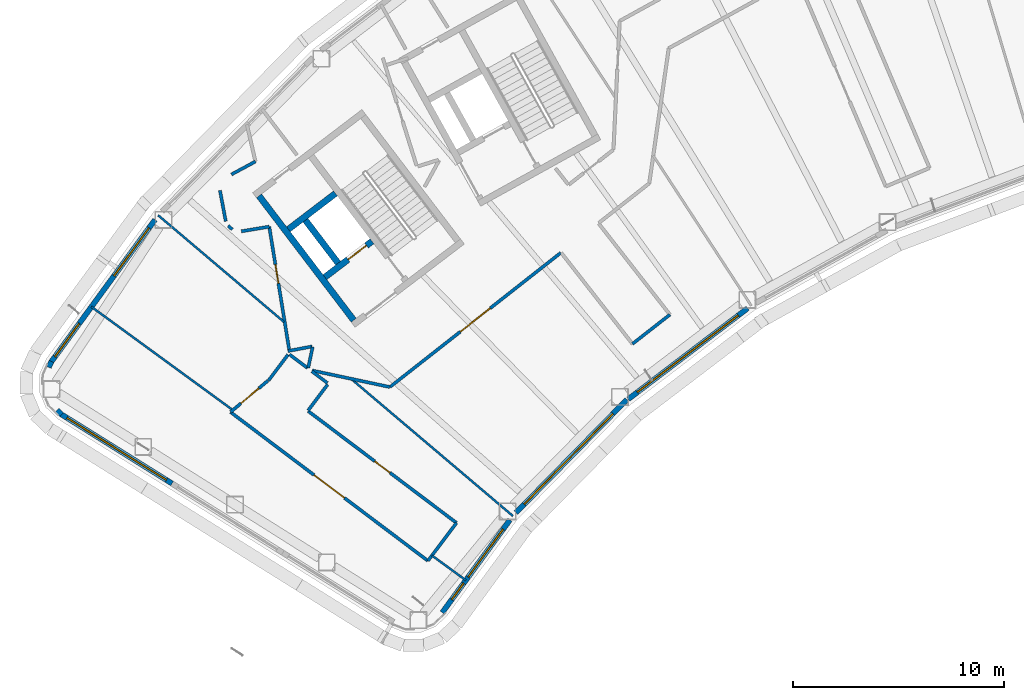
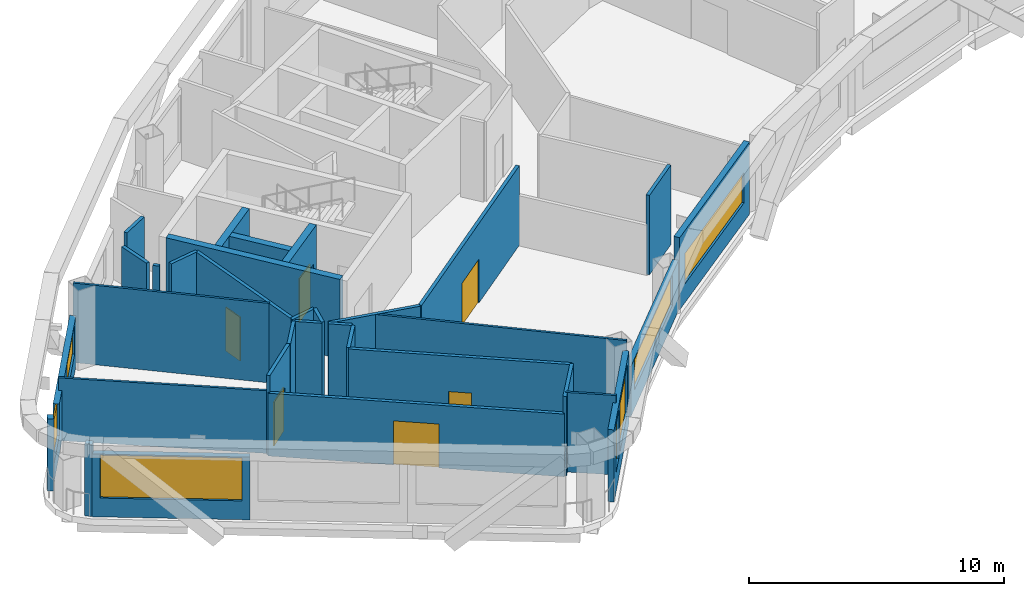
# One storey, part 5 of 21: 33 walls, 7 windows, 6 doors, 13 openings.
"""IFC4 building model written with IfcOpenShell, lengths in metres."""

from ifc_helpers import new_model, si_unit, direction, frame, frame_2d, origin, place, context, subcontext, project, spatial, rectangle, extrude, material, layer, layer_set, type_object, element, fill, save


model = new_model("IFC4")

# Units and contexts
model_context = context("Model", 3, precision=1e-05, world=origin(), true_north=direction((0.0, 1.0)))
body_context = subcontext(model_context, "Body", "Model", "MODEL_VIEW")
ifc_project = project(units=[si_unit("LENGTHUNIT", "METRE"), si_unit("AREAUNIT", "SQUARE_METRE"), si_unit("VOLUMEUNIT", "CUBIC_METRE"), si_unit("PLANEANGLEUNIT", "RADIAN"), si_unit("MASSUNIT", "GRAM", prefix="KILO")], contexts=[model_context])

# Site, building, storey
site_placement = place(None, origin())
site = spatial("IfcSite", under=ifc_project, at=site_placement, CompositionType="ELEMENT")
building_placement = place(site_placement, origin())
building = spatial("IfcBuilding", under=site, at=building_placement, Name="Tuul Gate Civic Tower", CompositionType="ELEMENT")
storey_placement = place(building_placement, frame((0.0, 0.0, 273.60009765625)))
storey = spatial("IfcBuildingStorey", under=building, at=storey_placement, Name="Level 62", CompositionType="ELEMENT", Elevation=273.60009765625)

# Wall, opening, door
ifc_material_1 = material(Name="Concrete C50/60", Category="concrete")
ifc_layer_1 = layer(ifc_material_1, 0.300048828125)
ifc_layer_set_1 = layer_set([ifc_layer_1], Name="Concrete C50/60")
wall_type_1 = type_object("IfcWallType", Name="Core wall C50/60", PredefinedType="SHEAR", material=ifc_layer_set_1)
wall_1_placement = place(storey_placement, frame((-35.470947265625, -13.66064453125, 0.0), z_axis=(0.0, 0.0, 1.0), x_axis=(-0.795615822227, -0.605801504968, 0.0)))
wall_1 = element("IfcWall", 1, at=wall_1_placement, inside=storey, type_object=wall_type_1, Name="Core wall", PredefinedType="SHEAR", context=body_context, shape_type="SweptSolid", body=[
    extrude(rectangle(XDim=2.800048828125, YDim=0.300048828125, at=frame_2d((1.39990234375, 0.0))), origin(), (0.0, 0.0, 1.0), 3.7998046875),
])
opening_1_placement = place(wall_1_placement, frame((0.324951171875, 0.0, 0.0)))
opening_1 = element("IfcOpeningElement", 2, at=opening_1_placement, cuts=wall_1, Name="Opening LD-H1", PredefinedType="OPENING", context=body_context, shape_type="SweptSolid", body=[
    extrude(rectangle(XDim=1.10009765625, YDim=2.10009765625, at=frame_2d((0.550048828125, 1.050048828125))), frame((0.0, 0.16015625, 0.0), z_axis=(0.0, -1.0, 0.0), x_axis=(1.0, 0.0, 0.0)), (0.0, 0.0, 1.0), 0.320068359375),
])
ifc_material_2 = material(Name="Stainless steel", Category="steel")
door_type_1 = type_object("IfcDoorType", Name="Landing door", OperationType="DOUBLE_DOOR_SLIDING", PredefinedType="DOOR", material=ifc_material_2)
door_1_placement = place(opening_1_placement, origin())
door_1 = element("IfcDoor", 3, at=door_1_placement, inside=storey, type_object=door_type_1, Name="High-rise lift H1 landing door", OperationType="DOUBLE_DOOR_SLIDING", OverallHeight=2.10009765625, OverallWidth=1.10009765625, PredefinedType="DOOR", context=body_context, shape_type="SweptSolid", body=[
    extrude(rectangle(XDim=1.10009765625, YDim=2.10009765625, at=frame_2d((0.550048828125, 1.050048828125))), frame((0.0, 0.02490234375, 0.0), z_axis=(0.0, -1.0, 0.0), x_axis=(1.0, 0.0, 0.0)), (0.0, 0.0, 1.0), 0.050048828125),
])
fill(opening_1, door_1)

# Walls
wall_2_placement = place(storey_placement, frame((-37.197509765625, -11.39306640625, 0.0), z_axis=(0.0, 0.0, 1.0), x_axis=(-0.795583820278, -0.605843531707, 0.0)))
element("IfcWall", 4, at=wall_2_placement, inside=storey, type_object=wall_type_1, Name="Core wall", PredefinedType="SHEAR", context=body_context, shape_type="SweptSolid", body=[
    extrude(rectangle(XDim=2.7998046875, YDim=0.300048828125, at=frame_2d((1.39990234375, 0.0))), origin(), (0.0, 0.0, 1.0), 3.7998046875),
])
wall_3_placement = place(storey_placement, frame((-37.073486328125, -14.6923828125, 0.0), z_axis=(0.0, 0.0, 1.0), x_axis=(-0.605728760074, 0.79567120673, 0.0)))
element("IfcWall", 5, at=wall_3_placement, inside=storey, type_object=wall_type_1, Name="Core wall", PredefinedType="SHEAR", context=body_context, shape_type="SweptSolid", body=[
    extrude(rectangle(XDim=2.550048828125, YDim=0.300048828125, at=frame_2d((1.27490234375, 0.0))), origin(), (0.0, 0.0, 1.0), 3.7998046875),
])
wall_4_placement = place(storey_placement, frame((-36.333984375, -17.397216796875, 0.0), z_axis=(0.0, 0.0, 1.0), x_axis=(-0.605753921168, 0.795652051458, 0.0)))
element("IfcWall", 6, at=wall_4_placement, inside=storey, type_object=wall_type_1, Name="Core wall", PredefinedType="SHEAR", context=body_context, shape_type="SweptSolid", body=[
    extrude(rectangle(XDim=7.400146484375, YDim=0.300048828125, at=frame_2d((3.7001953125, 0.0))), origin(), (0.0, 0.0, 1.0), 3.7998046875),
])

# Wall, opening, door
ifc_material_3 = material(Name="Gypsum board partition")
ifc_layer_2 = layer(ifc_material_3, 0.14990234375)
ifc_layer_set_2 = layer_set([ifc_layer_2], Name="Gypsum board partition")
wall_type_2 = type_object("IfcWallType", Name="Corridor wall P150", PredefinedType="PARTITIONING", material=ifc_layer_set_2)
wall_5_placement = place(storey_placement, frame((-40.333740234375, -12.9658203125, 0.0), z_axis=(0.0, 0.0, 1.0), x_axis=(0.160026866299, -0.987112659256, 0.0)))
wall_5 = element("IfcWall", 7, at=wall_5_placement, inside=storey, type_object=wall_type_2, Name="p004", PredefinedType="PARTITIONING", context=body_context, shape_type="SweptSolid", body=[
    extrude(rectangle(XDim=5.951416015625, YDim=0.14990234375, at=frame_2d((2.9755859375, 0.0))), origin(), (0.0, 0.0, 1.0), 3.7998046875),
])
opening_2_placement = place(wall_5_placement, frame((1.818359375, 0.0, 0.0)))
opening_2 = element("IfcOpeningElement", 8, at=opening_2_placement, cuts=wall_5, Name="Opening W-D01", PredefinedType="OPENING", context=body_context, shape_type="SweptSolid", body=[
    extrude(rectangle(XDim=0.89990234375, YDim=2.10009765625, at=frame_2d((0.449951171875, 1.050048828125))), frame((0.0, 0.0849609375, 0.0), z_axis=(0.0, -1.0, 0.0), x_axis=(1.0, 0.0, 0.0)), (0.0, 0.0, 1.0), 0.169921875),
])
ifc_material_4 = material(Name="Timber door leaf", Category="wood")
door_type_2 = type_object("IfcDoorType", Name="Door D09", OperationType="NOTDEFINED", PredefinedType="DOOR", material=ifc_material_4)
door_2_placement = place(opening_2_placement, frame((0.89990234375, 0.0, 0.0), z_axis=(0.0, 0.0, 1.0), x_axis=(-1.0, 0.0, 0.0)))
door_2 = element("IfcDoor", 9, at=door_2_placement, inside=storey, type_object=door_type_2, Name="Door W-D01", OperationType="SINGLE_SWING_LEFT", OverallHeight=2.10009765625, OverallWidth=0.89990234375, PredefinedType="DOOR", context=body_context, shape_type="SweptSolid", body=[
    extrude(rectangle(XDim=0.89990234375, YDim=2.10009765625, at=frame_2d((0.449951171875, 1.050048828125))), frame((0.0, 0.02490234375, 0.0), z_axis=(0.0, -1.0, 0.0), x_axis=(1.0, 0.0, 0.0)), (0.0, 0.0, 1.0), 0.050048828125),
])
fill(opening_2, door_2)

# Walls
wall_6_placement = place(storey_placement, frame((-42.1259765625, -10.49609375, 0.0), z_axis=(0.0, 0.0, 1.0), x_axis=(0.88010728626, 0.474774856824, 0.0)))
element("IfcWall", 10, at=wall_6_placement, inside=storey, type_object=wall_type_2, Name="p005", PredefinedType="PARTITIONING", context=body_context, shape_type="SweptSolid", body=[
    extrude(rectangle(XDim=1.293701171875, YDim=0.14990234375, at=frame_2d((0.64697265625, 0.0))), origin(), (0.0, 0.0, 1.0), 3.7998046875),
])
wall_7_placement = place(storey_placement, frame((-42.6669921875, -11.251953125, 0.0), z_axis=(0.0, 0.0, 1.0), x_axis=(0.184913715459, -0.982754759762, 0.0)))
element("IfcWall", 11, at=wall_7_placement, inside=storey, type_object=wall_type_2, Name="p006", PredefinedType="PARTITIONING", context=body_context, shape_type="SweptSolid", body=[
    extrude(rectangle(XDim=1.4853515625, YDim=0.14990234375, at=frame_2d((0.74267578125, 0.0))), origin(), (0.0, 0.0, 1.0), 3.7998046875),
])
wall_8_placement = place(storey_placement, frame((-42.2802734375, -12.9267578125, 0.0), z_axis=(0.0, 0.0, 1.0), x_axis=(0.759648822449, -0.650333504097, 0.0)))
element("IfcWall", 12, at=wall_8_placement, inside=storey, type_object=wall_type_2, Name="p007", PredefinedType="PARTITIONING", context=body_context, shape_type="SweptSolid", body=[
    extrude(rectangle(XDim=0.263427734375, YDim=0.14990234375, at=frame_2d((0.1318359375, 0.0))), origin(), (0.0, 0.0, 1.0), 3.7998046875),
])
wall_9_placement = place(storey_placement, frame((-41.651611328125, -13.185302734375, 0.0), z_axis=(0.0, 0.0, 1.0), x_axis=(0.986428455202, 0.164191664734, 0.0)))
element("IfcWall", 13, at=wall_9_placement, inside=storey, type_object=wall_type_2, Name="p008", PredefinedType="PARTITIONING", context=body_context, shape_type="SweptSolid", body=[
    extrude(rectangle(XDim=1.336669921875, YDim=0.14990234375, at=frame_2d((0.66845703125, 0.0))), origin(), (0.0, 0.0, 1.0), 3.7998046875),
])
wall_10_placement = place(storey_placement, frame((-32.821044921875, -28.787109375, 0.0), z_axis=(0.0, 0.0, 1.0), x_axis=(0.601857264681, 0.798603677021, 0.0)))
element("IfcWall", 14, at=wall_10_placement, inside=storey, type_object=wall_type_2, Name="p053", PredefinedType="PARTITIONING", context=body_context, shape_type="SweptSolid", body=[
    extrude(rectangle(XDim=2.24853515625, YDim=0.14990234375, at=frame_2d((1.124267578125, 0.0))), origin(), (0.0, 0.0, 1.0), 3.7998046875),
])

# Wall, opening, door
wall_11_placement = place(storey_placement, frame((-38.4912109375, -21.697998046875, 0.0), z_axis=(0.0, 0.0, 1.0), x_axis=(0.798628696384, -0.601824065082, 0.0)))
wall_11 = element("IfcWall", 15, at=wall_11_placement, inside=storey, type_object=wall_type_2, Name="p055", PredefinedType="PARTITIONING", context=body_context, shape_type="SweptSolid", body=[
    extrude(rectangle(XDim=8.7939453125, YDim=0.14990234375, at=frame_2d((4.39697265625, 0.0))), origin(), (0.0, 0.0, 1.0), 3.7998046875),
])
opening_3_placement = place(wall_11_placement, frame((3.947021484375, 0.0, 0.0)))
opening_3 = element("IfcOpeningElement", 16, at=opening_3_placement, cuts=wall_11, Name="Opening W-D18", PredefinedType="OPENING", context=body_context, shape_type="SweptSolid", body=[
    extrude(rectangle(XDim=0.89990234375, YDim=2.10009765625, at=frame_2d((0.449951171875, 1.050048828125))), frame((0.0, 0.0849609375, 0.0), z_axis=(0.0, -1.0, 0.0), x_axis=(1.0, 0.0, 0.0)), (0.0, 0.0, 1.0), 0.169921875),
])
door_3_placement = place(opening_3_placement, origin())
door_3 = element("IfcDoor", 17, at=door_3_placement, inside=storey, type_object=door_type_2, Name="Door W-D18", OperationType="SINGLE_SWING_RIGHT", OverallHeight=2.10009765625, OverallWidth=0.89990234375, PredefinedType="DOOR", context=body_context, shape_type="SweptSolid", body=[
    extrude(rectangle(XDim=0.89990234375, YDim=2.10009765625, at=frame_2d((0.449951171875, 1.050048828125))), frame((0.0, 0.02490234375, 0.0), z_axis=(0.0, -1.0, 0.0), x_axis=(1.0, 0.0, 0.0)), (0.0, 0.0, 1.0), 0.050048828125),
])
fill(opening_3, door_3)

# Walls
wall_12_placement = place(storey_placement, frame((-38.4951171875, -21.669921875, 0.0), z_axis=(0.0, 0.0, 1.0), x_axis=(0.601901548025, 0.79857030153, 0.0)))
element("IfcWall", 18, at=wall_12_placement, inside=storey, type_object=wall_type_2, Name="p056", PredefinedType="PARTITIONING", context=body_context, shape_type="SweptSolid", body=[
    extrude(rectangle(XDim=1.539306640625, YDim=0.14990234375, at=frame_2d((0.76953125, 0.0))), origin(), (0.0, 0.0, 1.0), 3.7998046875),
])
wall_13_placement = place(storey_placement, frame((-39.375, -19.016357421875, 0.0), z_axis=(0.0, 0.0, 1.0), x_axis=(0.798574004357, -0.601896635284, 0.0)))
element("IfcWall", 19, at=wall_13_placement, inside=storey, type_object=wall_type_2, Name="p057", PredefinedType="PARTITIONING", context=body_context, shape_type="SweptSolid", body=[
    extrude(rectangle(XDim=1.070068359375, YDim=0.14990234375, at=frame_2d((0.53515625, 0.0))), origin(), (0.0, 0.0, 1.0), 3.7998046875),
])
wall_14_placement = place(storey_placement, frame((-38.319091796875, -19.812255859375, 0.0), z_axis=(0.0, 0.0, 1.0), x_axis=(0.798702514551, -0.601726094872, 0.0)))
element("IfcWall", 20, at=wall_14_placement, inside=storey, type_object=wall_type_2, Name="p058", PredefinedType="PARTITIONING", context=body_context, shape_type="SweptSolid", body=[
    extrude(rectangle(XDim=0.927001953125, YDim=0.14990234375, at=frame_2d((0.46337890625, 0.0))), origin(), (0.0, 0.0, 1.0), 3.7998046875),
])
wall_15_placement = place(storey_placement, frame((-38.302734375, -19.776611328125, 0.0), z_axis=(0.0, 0.0, 1.0), x_axis=(0.978069382998, -0.208279336568, 0.0)))
element("IfcWall", 21, at=wall_15_placement, inside=storey, type_object=wall_type_2, Name="p059", PredefinedType="PARTITIONING", context=body_context, shape_type="SweptSolid", body=[
    extrude(rectangle(XDim=3.7626953125, YDim=0.14990234375, at=frame_2d((1.88134765625, 0.0))), origin(), (0.0, 0.0, 1.0), 3.7998046875),
])
wall_16_placement = place(storey_placement, frame((-39.44580078125, -18.853515625, 0.0), z_axis=(0.0, 0.0, 1.0), x_axis=(0.982791297531, 0.184719423714, 0.0)))
element("IfcWall", 22, at=wall_16_placement, inside=storey, type_object=wall_type_2, Name="p060", PredefinedType="PARTITIONING", context=body_context, shape_type="SweptSolid", body=[
    extrude(rectangle(XDim=1.1630859375, YDim=0.14990234375, at=frame_2d((0.58154296875, 0.0))), origin(), (0.0, 0.0, 1.0), 3.7998046875),
])
wall_17_placement = place(storey_placement, frame((-38.489013671875, -19.648681640625, 0.0), z_axis=(0.0, 0.0, 1.0), x_axis=(0.208304852923, 0.978063948957, 0.0)))
element("IfcWall", 23, at=wall_17_placement, inside=storey, type_object=wall_type_2, Name="p061", PredefinedType="PARTITIONING", context=body_context, shape_type="SweptSolid", body=[
    extrude(rectangle(XDim=1.008056640625, YDim=0.14990234375, at=frame_2d((0.50390625, 0.0))), origin(), (0.0, 0.0, 1.0), 3.7998046875),
])
wall_18_placement = place(storey_placement, frame((-40.3720703125, -20.255859375, 0.0), z_axis=(0.0, 0.0, 1.0), x_axis=(0.601825320308, 0.79862775048, 0.0)))
element("IfcWall", 24, at=wall_18_placement, inside=storey, type_object=wall_type_2, Name="p062", PredefinedType="PARTITIONING", context=body_context, shape_type="SweptSolid", body=[
    extrude(rectangle(XDim=1.53955078125, YDim=0.14990234375, at=frame_2d((0.769775390625, 0.0))), origin(), (0.0, 0.0, 1.0), 3.7998046875),
])

# Wall, opening, door
wall_19_placement = place(storey_placement, frame((-42.166015625, -21.7451171875, 0.0), z_axis=(0.0, 0.0, 1.0), x_axis=(0.765317077377, 0.643653455732, 0.0)))
wall_19 = element("IfcWall", 25, at=wall_19_placement, inside=storey, type_object=wall_type_2, Name="p063", PredefinedType="PARTITIONING", context=body_context, shape_type="SweptSolid", body=[
    extrude(rectangle(XDim=2.3076171875, YDim=0.14990234375, at=frame_2d((1.15380859375, 0.0))), origin(), (0.0, 0.0, 1.0), 3.7998046875),
])
opening_4_placement = place(wall_19_placement, frame((0.64453125, 0.0, 0.0)))
opening_4 = element("IfcOpeningElement", 26, at=opening_4_placement, cuts=wall_19, Name="Opening W-D19", PredefinedType="OPENING", context=body_context, shape_type="SweptSolid", body=[
    extrude(rectangle(XDim=1.10009765625, YDim=2.10009765625, at=frame_2d((0.550048828125, 1.050048828125))), frame((0.0, 0.0849609375, 0.0), z_axis=(0.0, -1.0, 0.0), x_axis=(1.0, 0.0, 0.0)), (0.0, 0.0, 1.0), 0.169921875),
])
ifc_material_5 = material(Name="Timber door leaf", Category="wood")
door_type_3 = type_object("IfcDoorType", Name="Door D11", OperationType="NOTDEFINED", PredefinedType="DOOR", material=ifc_material_5)
door_4_placement = place(opening_4_placement, origin())
door_4 = element("IfcDoor", 27, at=door_4_placement, inside=storey, type_object=door_type_3, Name="Door W-D19", OperationType="SINGLE_SWING_LEFT", OverallHeight=2.10009765625, OverallWidth=1.10009765625, PredefinedType="DOOR", context=body_context, shape_type="SweptSolid", body=[
    extrude(rectangle(XDim=1.10009765625, YDim=2.10009765625, at=frame_2d((0.550048828125, 1.050048828125))), frame((0.0, 0.02490234375, 0.0), z_axis=(0.0, -1.0, 0.0), x_axis=(1.0, 0.0, 0.0)), (0.0, 0.0, 1.0), 0.050048828125),
])
fill(opening_4, door_4)

wall_20_placement = place(storey_placement, frame((-34.62255859375, -20.560302734375, 0.0), z_axis=(0.0, 0.0, 1.0), x_axis=(0.786392449713, 0.617727217334, 0.0)))
wall_20 = element("IfcWall", 28, at=wall_20_placement, inside=storey, type_object=wall_type_2, Name="p093", PredefinedType="PARTITIONING", context=body_context, shape_type="SweptSolid", body=[
    extrude(rectangle(XDim=10.287353515625, YDim=0.14990234375, at=frame_2d((5.1435546875, 0.0))), origin(), (0.0, 0.0, 1.0), 3.7998046875),
])
opening_5_placement = place(wall_20_placement, frame((4.24365234375, 0.0, 0.0)))
opening_5 = element("IfcOpeningElement", 29, at=opening_5_placement, cuts=wall_20, Name="Opening W-D26", PredefinedType="OPENING", context=body_context, shape_type="SweptSolid", body=[
    extrude(rectangle(XDim=1.800048828125, YDim=2.10009765625, at=frame_2d((0.89990234375, 1.050048828125))), frame((0.0, 0.0849609375, 0.0), z_axis=(0.0, -1.0, 0.0), x_axis=(1.0, 0.0, 0.0)), (0.0, 0.0, 1.0), 0.169921875),
])
ifc_material_6 = material(Name="Timber door leaf, double", Category="wood")
door_type_4 = type_object("IfcDoorType", Name="Door D18", OperationType="DOUBLE_DOOR_SINGLE_SWING", PredefinedType="DOOR", material=ifc_material_6)
door_5_placement = place(opening_5_placement, frame((1.800048828125, 0.0, 0.0), z_axis=(0.0, 0.0, 1.0), x_axis=(-1.0, 0.0, 0.0)))
door_5 = element("IfcDoor", 30, at=door_5_placement, inside=storey, type_object=door_type_4, Name="Door W-D26", OperationType="DOUBLE_DOOR_SINGLE_SWING", OverallHeight=2.10009765625, OverallWidth=1.800048828125, PredefinedType="DOOR", context=body_context, shape_type="SweptSolid", body=[
    extrude(rectangle(XDim=1.800048828125, YDim=2.10009765625, at=frame_2d((0.900146484375, 1.050048828125))), frame((0.0, 0.02490234375, 0.0), z_axis=(0.0, -1.0, 0.0), x_axis=(1.0, 0.0, 0.0)), (0.0, 0.0, 1.0), 0.050048828125),
])
fill(opening_5, door_5)

# Wall
wall_21_placement = place(storey_placement, frame((-23.137939453125, -18.517333984375, 0.0), z_axis=(0.0, 0.0, 1.0), x_axis=(0.787994761413, 0.615681943852, 0.0)))
element("IfcWall", 31, at=wall_21_placement, inside=storey, type_object=wall_type_2, Name="p096", PredefinedType="PARTITIONING", context=body_context, shape_type="SweptSolid", body=[
    extrude(rectangle(XDim=2.25, YDim=0.14990234375, at=frame_2d((1.125, 0.0))), origin(), (0.0, 0.0, 1.0), 3.7998046875),
])

# Wall, opening, door
ifc_material_7 = material(Name="Gypsum board partition")
ifc_layer_3 = layer(ifc_material_7, 0.14990234375)
ifc_layer_set_3 = layer_set([ifc_layer_3], Name="Gypsum board partition")
wall_type_3 = type_object("IfcWallType", Name="Corridor wall P150 3000 HIGH", PredefinedType="PARTITIONING", material=ifc_layer_set_3)
wall_22_placement = place(storey_placement, frame((-42.166015625, -21.74609375, 0.0), z_axis=(0.0, 0.0, 1.0), x_axis=(0.798633245042, -0.601818028904, 0.0)))
wall_22 = element("IfcWall", 32, at=wall_22_placement, inside=storey, type_object=wall_type_3, Name="p064", PredefinedType="PARTITIONING", context=body_context, shape_type="SweptSolid", body=[
    extrude(rectangle(XDim=11.699951171875, YDim=0.14990234375, at=frame_2d((5.85009765625, 0.0))), origin(), (0.0, 0.0, 1.0), 3.0),
])
opening_6_placement = place(wall_22_placement, frame((4.949951171875, 0.0, 0.0)))
opening_6 = element("IfcOpeningElement", 33, at=opening_6_placement, cuts=wall_22, Name="Opening W-D20", PredefinedType="OPENING", context=body_context, shape_type="SweptSolid", body=[
    extrude(rectangle(XDim=1.800048828125, YDim=2.10009765625, at=frame_2d((0.89990234375, 1.050048828125))), frame((0.0, 0.0849609375, 0.0), z_axis=(0.0, -1.0, 0.0), x_axis=(1.0, 0.0, 0.0)), (0.0, 0.0, 1.0), 0.169921875),
])
door_6_placement = place(opening_6_placement, frame((1.800048828125, 0.0, 0.0), z_axis=(0.0, 0.0, 1.0), x_axis=(-1.0, 0.0, 0.0)))
door_6 = element("IfcDoor", 34, at=door_6_placement, inside=storey, type_object=door_type_4, Name="Door W-D20", OperationType="DOUBLE_DOOR_SINGLE_SWING", OverallHeight=2.10009765625, OverallWidth=1.800048828125, PredefinedType="DOOR", context=body_context, shape_type="SweptSolid", body=[
    extrude(rectangle(XDim=1.800048828125, YDim=2.10009765625, at=frame_2d((0.900146484375, 1.050048828125))), frame((0.0, 0.02490234375, 0.0), z_axis=(0.0, -1.0, 0.0), x_axis=(1.0, 0.0, 0.0)), (0.0, 0.0, 1.0), 0.050048828125),
])
fill(opening_6, door_6)

# Walls
ifc_material_8 = material(Name="Precast concrete C40/50", Category="concrete")
ifc_layer_4 = layer(ifc_material_8, 0.25)
ifc_layer_set_4 = layer_set([ifc_layer_4], Name="Precast concrete C40/50")
wall_type_4 = type_object("IfcWallType", Name="External wall", PredefinedType="STANDARD", material=ifc_layer_set_4)
wall_23_placement = place(storey_placement, frame((-50.645263671875, -19.3486328125, 0.0), z_axis=(0.0, 0.0, 1.0), x_axis=(-0.412657806112, -0.910886126283, 0.0)))
element("IfcWall", 35, at=wall_23_placement, inside=storey, type_object=wall_type_4, Name="External wall", PredefinedType="STANDARD", context=body_context, shape_type="SweptSolid", body=[
    extrude(rectangle(XDim=0.30517578125, YDim=0.25, at=frame_2d((0.152587890625, 0.0))), origin(), (0.0, 0.0, 1.0), 3.449951171875),
])
wall_24_placement = place(storey_placement, frame((-50.37939453125, -21.656494140625, 0.0), z_axis=(0.0, 0.0, 1.0), x_axis=(0.722589545207, -0.691277331581, 0.0)))
element("IfcWall", 36, at=wall_24_placement, inside=storey, type_object=wall_type_4, Name="External wall", PredefinedType="STANDARD", context=body_context, shape_type="SweptSolid", body=[
    extrude(rectangle(XDim=0.30419921875, YDim=0.25, at=frame_2d((0.152099609375, 0.0))), origin(), (0.0, 0.0, 1.0), 3.449951171875),
])

# Wall, openings, windows
wall_25_placement = place(storey_placement, frame((-32.141845703125, -31.2353515625, 0.0), z_axis=(0.0, 0.0, 1.0), x_axis=(0.589721196983, 0.807606903035, 0.0)))
wall_25 = element("IfcWall", 37, at=wall_25_placement, inside=storey, type_object=wall_type_4, Name="External wall", PredefinedType="STANDARD", context=body_context, shape_type="SweptSolid", body=[
    extrude(rectangle(XDim=5.429931640625, YDim=0.25, at=frame_2d((2.71484375, 0.0))), origin(), (0.0, 0.0, 1.0), 3.449951171875),
])
opening_7_placement = place(wall_25_placement, frame((0.759765625, 0.0, 0.89990234375)))
opening_7 = element("IfcOpeningElement", 38, at=opening_7_placement, cuts=wall_25, Name="Opening W71", PredefinedType="OPENING", context=body_context, shape_type="SweptSolid", body=[
    extrude(rectangle(XDim=0.949951171875, YDim=2.300048828125, at=frame_2d((0.47509765625, 1.14990234375))), frame((0.0, 0.135009765625, 0.0), z_axis=(0.0, -1.0, 0.0), x_axis=(1.0, 0.0, 0.0)), (0.0, 0.0, 1.0), 0.27001953125),
])
opening_8_placement = place(wall_25_placement, frame((2.084716796875, 0.0, 0.89990234375)))
opening_8 = element("IfcOpeningElement", 39, at=opening_8_placement, cuts=wall_25, Name="Opening W36", PredefinedType="OPENING", context=body_context, shape_type="SweptSolid", body=[
    extrude(rectangle(XDim=2.800048828125, YDim=2.300048828125, at=frame_2d((1.39990234375, 1.14990234375))), frame((0.0, 0.135009765625, 0.0), z_axis=(0.0, -1.0, 0.0), x_axis=(1.0, 0.0, 0.0)), (0.0, 0.0, 1.0), 0.27001953125),
])
ifc_material_9 = material(Name="Glass", Category="glass")
window_type_1 = type_object("IfcWindowType", Name="Window 2800 x 2300", PartitioningType="SINGLE_PANEL", PredefinedType="WINDOW", material=ifc_material_9)
window_1_placement = place(opening_8_placement, origin())
window_1 = element("IfcWindow", 40, at=window_1_placement, inside=storey, type_object=window_type_1, Name="Window", OverallHeight=2.300048828125, OverallWidth=2.800048828125, PartitioningType="SINGLE_PANEL", PredefinedType="WINDOW", context=body_context, shape_type="SweptSolid", body=[
    extrude(rectangle(XDim=2.800048828125, YDim=2.300048828125, at=frame_2d((1.39990234375, 1.14990234375))), frame((0.0, 0.030029296875, 0.0), z_axis=(0.0, -1.0, 0.0), x_axis=(1.0, 0.0, 0.0)), (0.0, 0.0, 1.0), 0.06005859375),
])
fill(opening_8, window_1)
ifc_material_10 = material(Name="Glass", Category="glass")
window_type_2 = type_object("IfcWindowType", Name="Window 950 x 2300", PartitioningType="SINGLE_PANEL", PredefinedType="WINDOW", material=ifc_material_10)
window_2_placement = place(opening_7_placement, origin())
window_2 = element("IfcWindow", 41, at=window_2_placement, inside=storey, type_object=window_type_2, Name="Window", OverallHeight=2.300048828125, OverallWidth=0.949951171875, PartitioningType="SINGLE_PANEL", PredefinedType="WINDOW", context=body_context, shape_type="SweptSolid", body=[
    extrude(rectangle(XDim=0.949951171875, YDim=2.300048828125, at=frame_2d((0.47509765625, 1.14990234375))), frame((0.0, 0.030029296875, 0.0), z_axis=(0.0, -1.0, 0.0), x_axis=(1.0, 0.0, 0.0)), (0.0, 0.0, 1.0), 0.06005859375),
])
fill(opening_7, window_2)

# Wall, opening, window
wall_26_placement = place(storey_placement, frame((-23.3359375, -21.133056640625, 0.0), z_axis=(0.0, 0.0, 1.0), x_axis=(0.795636022241, 0.605774974815, 0.0)))
wall_26 = element("IfcWall", 42, at=wall_26_placement, inside=storey, type_object=wall_type_4, Name="External wall", PredefinedType="STANDARD", context=body_context, shape_type="SweptSolid", body=[
    extrude(rectangle(XDim=7.103271484375, YDim=0.25, at=frame_2d((3.5517578125, 0.0))), origin(), (0.0, 0.0, 1.0), 3.449951171875),
])
opening_9_placement = place(wall_26_placement, frame((0.541015625, 0.0, 0.89990234375)))
opening_9 = element("IfcOpeningElement", 43, at=opening_9_placement, cuts=wall_26, Name="Opening W107", PredefinedType="OPENING", context=body_context, shape_type="SweptSolid", body=[
    extrude(rectangle(XDim=6.0, YDim=1.449951171875, at=frame_2d((3.0, 0.72509765625))), frame((0.0, 0.135009765625, 0.0), z_axis=(0.0, -1.0, 0.0), x_axis=(1.0, 0.0, 0.0)), (0.0, 0.0, 1.0), 0.27001953125),
])
ifc_material_11 = material(Name="Glass", Category="glass")
window_type_3 = type_object("IfcWindowType", Name="Window W107 6000 x 1450", PartitioningType="SINGLE_PANEL", PredefinedType="WINDOW", material=ifc_material_11)
window_3_placement = place(opening_9_placement, origin())
window_3 = element("IfcWindow", 44, at=window_3_placement, inside=storey, type_object=window_type_3, Name="Window", OverallHeight=1.449951171875, OverallWidth=6.0, PartitioningType="SINGLE_PANEL", PredefinedType="WINDOW", context=body_context, shape_type="SweptSolid", body=[
    extrude(rectangle(XDim=6.0, YDim=1.449951171875, at=frame_2d((3.0, 0.72509765625))), frame((0.0, 0.030029296875, 0.0), z_axis=(0.0, -1.0, 0.0), x_axis=(1.0, 0.0, 0.0)), (0.0, 0.0, 1.0), 0.06005859375),
])
fill(opening_9, window_3)

# Wall, openings, windows
ifc_material_12 = material(Name="Precast concrete C40/50", Category="concrete")
ifc_layer_5 = layer(ifc_material_12, 0.25)
ifc_layer_set_5 = layer_set([ifc_layer_5], Name="Precast concrete C40/50")
wall_type_5 = type_object("IfcWallType", Name="External wall 2400 HIGH", PredefinedType="STANDARD", material=ifc_layer_set_5)
wall_27_placement = place(storey_placement, frame((-45.740966796875, -12.638671875, 0.0), z_axis=(0.0, 0.0, 1.0), x_axis=(-0.589821256366, -0.807533829346, 0.0)))
wall_27 = element("IfcWall", 45, at=wall_27_placement, inside=storey, type_object=wall_type_5, Name="External wall", PredefinedType="STANDARD", context=body_context, shape_type="SweptSolid", body=[
    extrude(rectangle(XDim=8.33642578125, YDim=0.25, at=frame_2d((4.168212890625, 0.0))), origin(), (0.0, 0.0, 1.0), 2.39990234375),
])
opening_10_placement = place(wall_27_placement, frame((0.485107421875, 0.0, 0.89990234375)))
opening_10 = element("IfcOpeningElement", 46, at=opening_10_placement, cuts=wall_27, Name="Opening W110", PredefinedType="OPENING", context=body_context, shape_type="SweptSolid", body=[
    extrude(rectangle(XDim=2.800048828125, YDim=1.449951171875, at=frame_2d((1.39990234375, 0.72509765625))), frame((0.0, 0.135009765625, 0.0), z_axis=(0.0, -1.0, 0.0), x_axis=(1.0, 0.0, 0.0)), (0.0, 0.0, 1.0), 0.27001953125),
])
opening_11_placement = place(wall_27_placement, frame((6.076904296875, 0.0, 0.89990234375)))
opening_11 = element("IfcOpeningElement", 47, at=opening_11_placement, cuts=wall_27, Name="Opening W162", PredefinedType="OPENING", context=body_context, shape_type="SweptSolid", body=[
    extrude(rectangle(XDim=1.949951171875, YDim=1.5, at=frame_2d((0.97509765625, 0.75))), frame((0.0, 0.135009765625, 0.0), z_axis=(0.0, -1.0, 0.0), x_axis=(1.0, 0.0, 0.0)), (0.0, 0.0, 1.0), 0.27001953125),
])
ifc_material_13 = material(Name="Glass", Category="glass")
window_type_4 = type_object("IfcWindowType", Name="Window 1950 x 1500", PartitioningType="SINGLE_PANEL", PredefinedType="WINDOW", material=ifc_material_13)
window_4_placement = place(opening_11_placement, origin())
window_4 = element("IfcWindow", 48, at=window_4_placement, inside=storey, type_object=window_type_4, Name="Window", OverallHeight=1.5, OverallWidth=1.949951171875, PartitioningType="SINGLE_PANEL", PredefinedType="WINDOW", context=body_context, shape_type="SweptSolid", body=[
    extrude(rectangle(XDim=1.949951171875, YDim=1.5, at=frame_2d((0.97509765625, 0.75))), frame((0.0, 0.030029296875, 0.0), z_axis=(0.0, -1.0, 0.0), x_axis=(1.0, 0.0, 0.0)), (0.0, 0.0, 1.0), 0.06005859375),
])
fill(opening_11, window_4)
ifc_material_14 = material(Name="Glass", Category="glass")
window_type_5 = type_object("IfcWindowType", Name="Window W110 2800 x 1450", PartitioningType="SINGLE_PANEL", PredefinedType="WINDOW", material=ifc_material_14)
window_5_placement = place(opening_10_placement, origin())
window_5 = element("IfcWindow", 49, at=window_5_placement, inside=storey, type_object=window_type_5, Name="Window", OverallHeight=1.449951171875, OverallWidth=2.800048828125, PartitioningType="SINGLE_PANEL", PredefinedType="WINDOW", context=body_context, shape_type="SweptSolid", body=[
    extrude(rectangle(XDim=2.800048828125, YDim=1.449951171875, at=frame_2d((1.39990234375, 0.72509765625))), frame((0.0, 0.030029296875, 0.0), z_axis=(0.0, -1.0, 0.0), x_axis=(1.0, 0.0, 0.0)), (0.0, 0.0, 1.0), 0.06005859375),
])
fill(opening_10, window_5)

# Wall, opening, window
wall_28_placement = place(storey_placement, frame((-28.64990234375, -26.50634765625, 0.0), z_axis=(0.0, 0.0, 1.0), x_axis=(0.700026184026, 0.714117176434, 0.0)))
wall_28 = element("IfcWall", 50, at=wall_28_placement, inside=storey, type_object=wall_type_5, Name="External wall", PredefinedType="STANDARD", context=body_context, shape_type="SweptSolid", body=[
    extrude(rectangle(XDim=7.502197265625, YDim=0.25, at=frame_2d((3.7509765625, 0.0))), origin(), (0.0, 0.0, 1.0), 2.39990234375),
])
opening_12_placement = place(wall_28_placement, frame((0.555908203125, 0.0, 0.89990234375)))
opening_12 = element("IfcOpeningElement", 51, at=opening_12_placement, cuts=wall_28, Name="Opening W107", PredefinedType="OPENING", context=body_context, shape_type="SweptSolid", body=[
    extrude(rectangle(XDim=6.0, YDim=1.449951171875, at=frame_2d((3.0, 0.72509765625))), frame((0.0, 0.135009765625, 0.0), z_axis=(0.0, -1.0, 0.0), x_axis=(1.0, 0.0, 0.0)), (0.0, 0.0, 1.0), 0.27001953125),
])
window_6_placement = place(opening_12_placement, origin())
window_6 = element("IfcWindow", 52, at=window_6_placement, inside=storey, type_object=window_type_3, Name="Window", OverallHeight=1.449951171875, OverallWidth=6.0, PartitioningType="SINGLE_PANEL", PredefinedType="WINDOW", context=body_context, shape_type="SweptSolid", body=[
    extrude(rectangle(XDim=6.0, YDim=1.449951171875, at=frame_2d((3.0, 0.72509765625))), frame((0.0, 0.030029296875, 0.0), z_axis=(0.0, -1.0, 0.0), x_axis=(1.0, 0.0, 0.0)), (0.0, 0.0, 1.0), 0.06005859375),
])
fill(opening_12, window_6)

ifc_material_15 = material(Name="Precast concrete C40/50", Category="concrete")
ifc_layer_6 = layer(ifc_material_15, 0.25)
ifc_layer_set_6 = layer_set([ifc_layer_6], Name="Precast concrete C40/50")
wall_type_6 = type_object("IfcWallType", Name="External wall 3000 HIGH", PredefinedType="STANDARD", material=ifc_layer_set_6)
wall_29_placement = place(storey_placement, frame((-50.1796875, -21.85107421875, 0.0), z_axis=(0.0, 0.0, 1.0), x_axis=(0.848024923451, -0.529956346509, 0.0)))
wall_29 = element("IfcWall", 53, at=wall_29_placement, inside=storey, type_object=wall_type_6, Name="External wall", PredefinedType="STANDARD", context=body_context, shape_type="SweptSolid", body=[
    extrude(rectangle(XDim=6.182861328125, YDim=0.25, at=frame_2d((3.09130859375, 0.0))), origin(), (0.0, 0.0, 1.0), 3.0),
])
opening_13_placement = place(wall_29_placement, frame((0.31591796875, 0.0, 0.89990234375)))
opening_13 = element("IfcOpeningElement", 54, at=opening_13_placement, cuts=wall_29, Name="Opening W119", PredefinedType="OPENING", context=body_context, shape_type="SweptSolid", body=[
    extrude(rectangle(XDim=5.550048828125, YDim=2.050048828125, at=frame_2d((2.77490234375, 1.02490234375))), frame((0.0, 0.135009765625, 0.0), z_axis=(0.0, -1.0, 0.0), x_axis=(1.0, 0.0, 0.0)), (0.0, 0.0, 1.0), 0.27001953125),
])
ifc_material_16 = material(Name="Glass", Category="glass")
window_type_6 = type_object("IfcWindowType", Name="Window W119 5550 x 2050", PartitioningType="SINGLE_PANEL", PredefinedType="WINDOW", material=ifc_material_16)
window_7_placement = place(opening_13_placement, origin())
window_7 = element("IfcWindow", 55, at=window_7_placement, inside=storey, type_object=window_type_6, Name="Window", OverallHeight=2.050048828125, OverallWidth=5.550048828125, PartitioningType="SINGLE_PANEL", PredefinedType="WINDOW", context=body_context, shape_type="SweptSolid", body=[
    extrude(rectangle(XDim=5.550048828125, YDim=2.050048828125, at=frame_2d((2.77490234375, 1.02490234375))), frame((0.0, 0.030029296875, 0.0), z_axis=(0.0, -1.0, 0.0), x_axis=(1.0, 0.0, 0.0)), (0.0, 0.0, 1.0), 0.06005859375),
])
fill(opening_13, window_7)

# Walls
ifc_material_17 = material(Name="Gypsum board partition")
ifc_layer_7 = layer(ifc_material_17, 0.10009765625)
ifc_layer_set_7 = layer_set([ifc_layer_7], Name="Gypsum board partition")
wall_type_7 = type_object("IfcWallType", Name="Partition P100", PredefinedType="PARTITIONING", material=ifc_layer_set_7)
wall_30_placement = place(storey_placement, frame((-45.59326171875, -12.427734375, 0.0), z_axis=(0.0, 0.0, 1.0), x_axis=(0.76281695038, -0.646614491187, 0.0)))
element("IfcWall", 56, at=wall_30_placement, inside=storey, type_object=wall_type_7, Name="p001", PredefinedType="PARTITIONING", context=body_context, shape_type="SweptSolid", body=[
    extrude(rectangle(XDim=7.8115234375, YDim=0.10009765625, at=frame_2d((3.90576171875, 0.0))), origin(), (0.0, 0.0, 1.0), 3.7998046875),
])
wall_31_placement = place(storey_placement, frame((-36.460693359375, -20.1689453125, 0.0), z_axis=(0.0, 0.0, 1.0), x_axis=(0.762825500501, -0.646604404397, 0.0)))
element("IfcWall", 57, at=wall_31_placement, inside=storey, type_object=wall_type_7, Name="p002", PredefinedType="PARTITIONING", context=body_context, shape_type="SweptSolid", body=[
    extrude(rectangle(XDim=10.04541015625, YDim=0.10009765625, at=frame_2d((5.022705078125, 0.0))), origin(), (0.0, 0.0, 1.0), 3.7998046875),
])
wall_32_placement = place(storey_placement, frame((-32.631103515625, -28.535400390625, 0.0), z_axis=(0.0, 0.0, 1.0), x_axis=(0.807552748324, -0.589795353215, 0.0)))
element("IfcWall", 58, at=wall_32_placement, inside=storey, type_object=wall_type_7, Name="p052", PredefinedType="PARTITIONING", context=body_context, shape_type="SweptSolid", body=[
    extrude(rectangle(XDim=1.9921875, YDim=0.10009765625, at=frame_2d((0.99609375, 0.0))), origin(), (0.0, 0.0, 1.0), 3.7998046875),
])
ifc_material_18 = material(Name="Gypsum board partition")
ifc_layer_8 = layer(ifc_material_18, 0.10009765625)
ifc_layer_set_8 = layer_set([ifc_layer_8], Name="Gypsum board partition")
wall_type_8 = type_object("IfcWallType", Name="Partition P100 3000 HIGH", PredefinedType="PARTITIONING", material=ifc_layer_set_8)
wall_33_placement = place(storey_placement, frame((-48.756103515625, -16.75830078125, 0.0), z_axis=(0.0, 0.0, 1.0), x_axis=(0.807552912711, -0.589795128135, 0.0)))
element("IfcWall", 59, at=wall_33_placement, inside=storey, type_object=wall_type_8, Name="p051", PredefinedType="PARTITIONING", context=body_context, shape_type="SweptSolid", body=[
    extrude(rectangle(XDim=8.26513671875, YDim=0.10009765625, at=frame_2d((4.132568359375, 0.0))), origin(), (0.0, 0.0, 1.0), 3.0),
])

save(model, "model.ifc")
